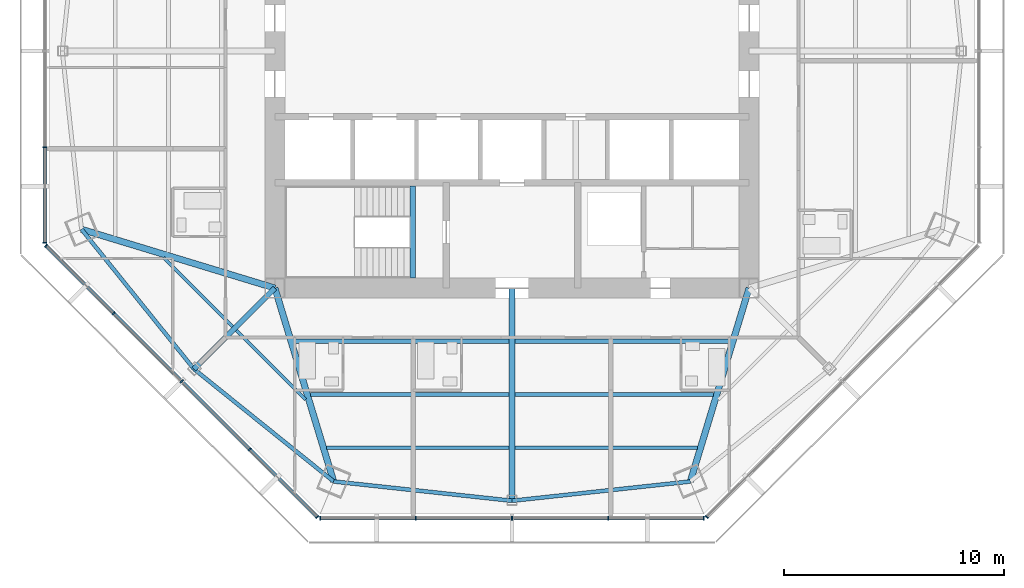
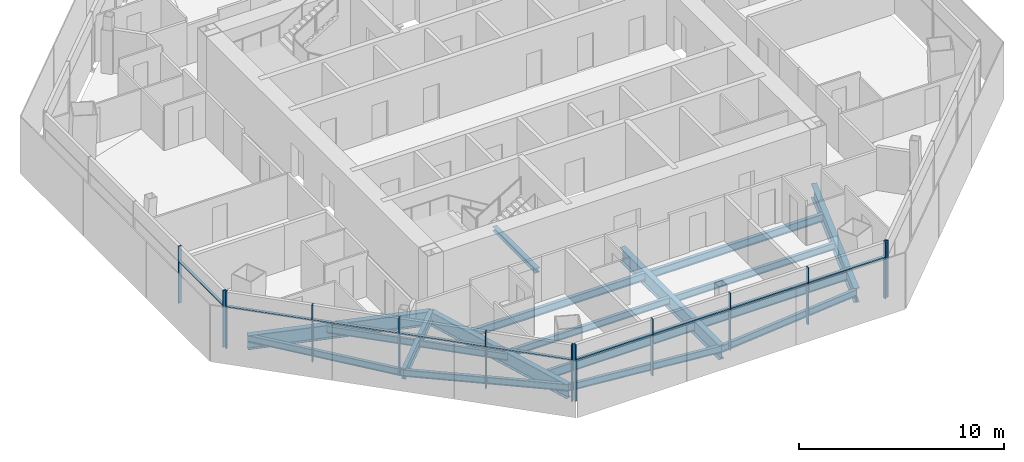
# One storey, part 2 of 14: 22 members, 18 beams, 4 elements without a shape of their own.
"""IFC4 building model written with IfcOpenShell, lengths in metres."""

import ifcopenshell
import ifcopenshell.guid

model = None  # the IFC model being written
_history = None  # IfcOwnerHistory: only IFC2X3 demands one
_inside = {}  # id of a spatial element -> (the spatial element, [elements in it])
_under = {}  # id of a project, library or spatial element -> (it, [spatial elements below it])
_declared = {}  # id of a project -> (the project, [libraries it declares])
_typed = {}  # id of a type object -> (the type object, [elements of that type])
_made_of = {}  # id of a material, layer set ... -> (it, [elements and type objects made of it])


def new_model(schema):
    """Start an empty IFC model of exactly this schema.

    Asked for "IFC4X3", IfcOpenShell would pick the latest addendum, in which some entities
    have other attributes; the version numbers below select the first issue.
    IFC2X3 requires an IfcOwnerHistory on every rooted entity: one is made here for all.
    """
    global model, _history
    if schema == "IFC4X3":
        model = ifcopenshell.file(schema_version=(4, 3, 0, 0))
    else:
        model = ifcopenshell.file(schema=schema)
    _inside.clear()
    _under.clear()
    _declared.clear()
    _typed.clear()
    _made_of.clear()
    _history = None
    if model.schema == "IFC2X3":
        org = make("IfcOrganization", Name="unknown")
        user = make(
            "IfcPersonAndOrganization",
            ThePerson=make("IfcPerson", FamilyName="unknown"),
            TheOrganization=org,
        )
        app = make(
            "IfcApplication",
            ApplicationDeveloper=org,
            Version="unknown",
            ApplicationFullName="unknown",
            ApplicationIdentifier="unknown",
        )
        _history = make(
            "IfcOwnerHistory",
            OwningUser=user,
            OwningApplication=app,
            ChangeAction="ADDED",
            CreationDate=0,
        )
    return model


def make(cls, **values):
    """One entity of the class cls with the attributes given. An attribute that is None is left unset."""
    return model.create_entity(
        cls, **{name: value for name, value in values.items() if value is not None}
    )


def rooted(cls, **values):
    """An entity with a GlobalId (a new one), such as an element, a storey or a relation."""
    return make(cls, GlobalId=ifcopenshell.guid.new(), OwnerHistory=_history, **values)


def si_unit(unit_type, name, prefix=None):
    """IfcSIUnit, for example si_unit("LENGTHUNIT", "METRE", prefix="MILLI")."""
    return make("IfcSIUnit", UnitType=unit_type, Prefix=prefix, Name=name)


def assignment(units):
    """IfcUnitAssignment: the units of a project."""
    return None if units is None else make("IfcUnitAssignment", Units=units)


def point(xyz):
    """IfcCartesianPoint."""
    return None if xyz is None else make("IfcCartesianPoint", Coordinates=xyz)


def direction(xyz):
    """IfcDirection."""
    return None if xyz is None else make("IfcDirection", DirectionRatios=xyz)


def frame(location, z_axis=None, x_axis=None):
    """IfcAxis2Placement3D, a coordinate frame: its origin and axes. An axis left out is left unset."""
    return make(
        "IfcAxis2Placement3D",
        Location=point(location),
        Axis=direction(z_axis),
        RefDirection=direction(x_axis),
    )


def frame_2d(location, x_axis=None):
    """IfcAxis2Placement2D, a coordinate frame in the plane: its origin and x axis."""
    return make(
        "IfcAxis2Placement2D", Location=point(location), RefDirection=direction(x_axis)
    )


def origin():
    """The frame at (0, 0, 0) with its axes left unset."""
    return frame((0.0, 0.0, 0.0))


def origin_2d():
    """The frame at (0, 0) in the plane with its x axis left unset."""
    return frame_2d((0.0, 0.0))


def place(relative_to, where):
    """IfcLocalPlacement: puts the frame where relative to a parent placement (None: the world)."""
    return make(
        "IfcLocalPlacement", PlacementRelTo=relative_to, RelativePlacement=where
    )


def context(
    kind, dimensions, precision=None, world=None, true_north=None, identifier=None
):
    """IfcGeometricRepresentationContext, for example the 3D "Model" context."""
    return make(
        "IfcGeometricRepresentationContext",
        ContextIdentifier=identifier,
        ContextType=kind,
        CoordinateSpaceDimension=dimensions,
        Precision=precision,
        WorldCoordinateSystem=world,
        TrueNorth=true_north,
    )


def subcontext(parent, identifier, kind, view, scale=None):
    """IfcGeometricRepresentationSubContext, for example "Body" below "Model"."""
    return make(
        "IfcGeometricRepresentationSubContext",
        ContextIdentifier=identifier,
        ContextType=kind,
        ParentContext=parent,
        TargetScale=scale,
        TargetView=view,
    )


def project(units=None, contexts=None):
    """IfcProject with its units and contexts."""
    return rooted(
        "IfcProject",
        Name="project",
        RepresentationContexts=contexts,
        UnitsInContext=assignment(units),
    )


def spatial(cls, under=None, at=None, **own):
    """A site, building, storey or space (cls), placed at a placement, below another one or the project."""
    s = rooted(cls, ObjectPlacement=at, **own)
    if under is not None:
        _under.setdefault(under.id(), (under, []))[1].append(s)
    return s


def profile(cls, at=None, kind="AREA", **sizes):
    """A parametric profile (cls). Its sizes go by their IFC names, for example OverallWidth=200.0."""
    return make(cls, ProfileType=kind, Position=at, **sizes)


def rectangle(**sizes):
    """IfcRectangleProfileDef."""
    return profile("IfcRectangleProfileDef", **sizes)


def i_section(**sizes):
    """IfcIShapeProfileDef."""
    return profile("IfcIShapeProfileDef", **sizes)


def extrude(swept, where, along, depth):
    """IfcExtrudedAreaSolid: the profile swept, set in the frame where, extruded along a direction by depth."""
    return make(
        "IfcExtrudedAreaSolid",
        SweptArea=swept,
        Position=where,
        ExtrudedDirection=direction(along),
        Depth=depth,
    )


def shape(context_of_items, identifier, shape_type, items):
    """IfcShapeRepresentation: the items that make up one representation, for example the "Body"."""
    return make(
        "IfcShapeRepresentation",
        ContextOfItems=context_of_items,
        RepresentationIdentifier=identifier,
        RepresentationType=shape_type,
        Items=items,
    )


def source(mapping_origin, context_of_items, identifier, shape_type, items):
    """IfcRepresentationMap: a shape defined once, which mapped items show again and again."""
    return make(
        "IfcRepresentationMap",
        MappingOrigin=mapping_origin,
        MappedRepresentation=shape(context_of_items, identifier, shape_type, items),
    )


def transform(
    local_origin,
    x_axis=None,
    y_axis=None,
    z_axis=None,
    scale=None,
    scale2=None,
    scale3=None,
    uniform=True,
):
    """IfcCartesianTransformationOperator3D, or its non-uniform kind. x_axis, y_axis, z_axis: its Axis1, 2, 3."""
    if uniform:
        return make(
            "IfcCartesianTransformationOperator3D",
            Axis1=direction(x_axis),
            Axis2=direction(y_axis),
            LocalOrigin=point(local_origin),
            Scale=scale,
            Axis3=direction(z_axis),
        )
    return make(
        "IfcCartesianTransformationOperator3DnonUniform",
        Axis1=direction(x_axis),
        Axis2=direction(y_axis),
        LocalOrigin=point(local_origin),
        Scale=scale,
        Axis3=direction(z_axis),
        Scale2=scale2,
        Scale3=scale3,
    )


def mapped(mapping_source, mapping_target):
    """IfcMappedItem: shows the shape of a source again, moved by a transform."""
    return make(
        "IfcMappedItem", MappingSource=mapping_source, MappingTarget=mapping_target
    )


def material(Name=None, Category=None):
    """IfcMaterial."""
    return make("IfcMaterial", Name=Name, Category=Category)


def material_profile(
    of_material, cross_section, Name=None, Category=None, Priority=None
):
    """IfcMaterialProfile: a cross section and its material."""
    return make(
        "IfcMaterialProfile",
        Name=Name,
        Material=of_material,
        Profile=cross_section,
        Priority=Priority,
        Category=Category,
    )


def profile_set(profiles, Name=None, composite=None):
    """IfcMaterialProfileSet."""
    return make(
        "IfcMaterialProfileSet",
        Name=Name,
        MaterialProfiles=profiles,
        CompositeProfile=composite,
    )


def made_of(thing, what):
    """Note that an element or type object is made of a material, layer set ...; save() writes the relation."""
    if what is not None:
        _made_of.setdefault(what.id(), (what, []))[1].append(thing)
    return thing


def type_object(cls, material=None, **own):
    """A type object (cls), such as IfcWallType, which elements share."""
    return made_of(rooted(cls, **own), material)


def type_shapes(of_type, sources):
    """Give a type object the sources (RepresentationMaps) that its elements show as mapped items."""
    of_type.RepresentationMaps = sources


def element(
    cls,
    number,
    at=None,
    inside=None,
    cuts=None,
    type_object=None,
    material=None,
    context=None,
    identifier="Body",
    shape_type=None,
    held_by="IfcProductDefinitionShape",
    body=None,
    shapes=None,
    **own,
):
    """One element of the class cls, such as IfcWall. Its Tag is "e" and its number.

    at: its placement. inside: the storey or other place that contains it. cuts: it is an
    opening in that element (IfcRelVoidsElement). A single representation is given by context,
    identifier, shape_type and body (its items); several are given by shapes. held_by: the class
    of the entity that holds the representations. save() writes the other relations.
    """
    e = rooted(cls, Tag="e%d" % number, ObjectPlacement=at, **own)
    if body is not None:
        shapes = [shape(context, identifier, shape_type, body)]
    if shapes is not None:
        e.Representation = make(held_by, Representations=shapes)
    if inside is not None:
        _inside.setdefault(inside.id(), (inside, []))[1].append(e)
    if cuts is not None:
        rooted(
            "IfcRelVoidsElement", RelatingBuildingElement=cuts, RelatedOpeningElement=e
        )
    if type_object is not None:
        _typed.setdefault(type_object.id(), (type_object, []))[1].append(e)
    return made_of(e, material)


def aggregate(whole, parts):
    """IfcRelAggregates: a whole, such as a stair, and the parts it consists of."""
    return rooted("IfcRelAggregates", RelatingObject=whole, RelatedObjects=parts)


def save(model, path):
    """Write the relations noted so far, then the file.

    IfcRelAggregates (storeys below a building ...), IfcRelContainedInSpatialStructure (elements
    in a storey), IfcRelDefinesByType, IfcRelAssociatesMaterial and IfcRelDeclares: one each for
    every whole, place, type object, material and project.
    """
    for whole, parts in _under.values():
        aggregate(whole, parts)
    for where, things in _inside.values():
        rooted(
            "IfcRelContainedInSpatialStructure",
            RelatedElements=things,
            RelatingStructure=where,
        )
    for kind, things in _typed.values():
        rooted("IfcRelDefinesByType", RelatedObjects=things, RelatingType=kind)
    for what, things in _made_of.values():
        rooted("IfcRelAssociatesMaterial", RelatedObjects=things, RelatingMaterial=what)
    for by, libraries in _declared.values():
        rooted("IfcRelDeclares", RelatingContext=by, RelatedDefinitions=libraries)
    model.write(path)


model = new_model("IFC4")

# Units and contexts
model_context = context("Model", 3, precision=1e-05, world=origin(), true_north=direction((0.0, 1.0)))
body_context = subcontext(model_context, "Body", "Model", "MODEL_VIEW")
ifc_project = project(units=[si_unit("LENGTHUNIT", "METRE"), si_unit("AREAUNIT", "SQUARE_METRE"), si_unit("VOLUMEUNIT", "CUBIC_METRE"), si_unit("PLANEANGLEUNIT", "RADIAN"), si_unit("MASSUNIT", "GRAM", prefix="KILO")], contexts=[model_context])

# Site, building, storey
site_placement = place(None, origin())
site = spatial("IfcSite", under=ifc_project, at=site_placement, CompositionType="ELEMENT")
building_placement = place(site_placement, origin())
building = spatial("IfcBuilding", under=site, at=building_placement, Name="Mashrafa Tower", CompositionType="ELEMENT")
storey_placement = place(building_placement, frame((0.0, 0.0, 238.0)))
storey = spatial("IfcBuildingStorey", under=building, at=storey_placement, Name="L56", CompositionType="ELEMENT", Elevation=238.0)

# Beams
ifc_material_1 = material(Name="Steel ASTM A992", Category="steel")
ifc_material_profile_1 = material_profile(ifc_material_1, i_section(OverallWidth=0.140380859375, OverallDepth=0.40380859375, WebThickness=0.007080078125, FlangeThickness=0.01123046875, FilletRadius=0.01025390625, at=origin_2d()), Name="W16X31")
ifc_profile_set_1 = profile_set([ifc_material_profile_1], Name="Steel ASTM A992")
beam_type_1 = type_object("IfcBeamType", Name="Beam W16X31", PredefinedType="BEAM", material=ifc_profile_set_1)
for number, where, z_axis, x_axis, name in (
    (1, (-12.72412109375, -12.562744140625, -0.40185546875), (-0.707134152885, 0.707079408428, 0.0), (-0.707079408428, -0.707134152885, 0.0), "Floor beam L56 008"),
    (2, (-9.409423828125, -15.877685546875, -0.40185546875), (-0.707079408428, 0.707134152885, 0.0), (-0.707134152885, -0.707079408428, 0.0), "Floor beam L56 012"),
):
    element("IfcBeam", number, at=place(storey_placement, frame(where, z_axis=z_axis, x_axis=x_axis)), inside=storey, type_object=beam_type_1, Name=name, PredefinedType="BEAM", context=body_context, shape_type="SweptSolid", body=[
        extrude(i_section(OverallWidth=0.140380859375, OverallDepth=0.40380859375, WebThickness=0.007080078125, FlangeThickness=0.01123046875, FilletRadius=0.01025390625, at=origin_2d()), origin(), (0.0, 0.0, 1.0), 4.459716796875),
    ])
ifc_material_2 = material(Name="Steel ASTM A992", Category="steel")
ifc_material_profile_2 = material_profile(ifc_material_2, i_section(OverallWidth=0.177734375, OverallDepth=0.406494140625, WebThickness=0.0078125, FlangeThickness=0.012939453125, FilletRadius=0.01025390625, at=origin_2d()), Name="W16X40")
ifc_profile_set_2 = profile_set([ifc_material_profile_2], Name="Steel ASTM A992")
beam_type_2 = type_object("IfcBeamType", Name="Beam W16X40", PredefinedType="BEAM", material=ifc_profile_set_2)
for number, where, z_axis, x_axis, name in (
    (3, (-0.14599609375, -15.643798828125, -0.4033203125), (-1.0, 0.0, 0.0), (0.0, -1.0, 0.0), "Floor beam L56 015"),
    (4, (9.17529296875, -15.643798828125, -0.4033203125), (-1.0, 0.0, 0.0), (0.0, -1.0, 0.0), "Floor beam L56 022"),
):
    element("IfcBeam", number, at=place(storey_placement, frame(where, z_axis=z_axis, x_axis=x_axis)), inside=storey, type_object=beam_type_2, Name=name, PredefinedType="BEAM", context=body_context, shape_type="SweptSolid", body=[
        extrude(i_section(OverallWidth=0.177734375, OverallDepth=0.406494140625, WebThickness=0.0078125, FlangeThickness=0.012939453125, FilletRadius=0.01025390625, at=origin_2d()), origin(), (0.0, 0.0, 1.0), 9.029296875),
    ])
for number, where, z_axis, x_axis, name in (
    (5, (-19.609619140625, -8.12255859375, -0.4033203125), (0.62700277054, -0.779017025318, 0.0), (0.779017025318, 0.62700277054, 0.0), "Spandrel beam L56 050"),
    (6, (-14.487060546875, -14.487060546875, -0.4033203125), (0.779017025318, -0.62700277054, 0.0), (0.62700277054, 0.779017025318, 0.0), "Spandrel beam L56 052"),
    (7, (-8.12255859375, -19.609619140625, -0.4033203125), (0.994206270799, -0.107489027835, 0.0), (0.107489027835, 0.994206270799, 0.0), "Spandrel beam L56 054"),
    (8, (0.0, -20.48779296875, -0.4033203125), (0.994206270799, 0.107489027835, 0.0), (-0.107489027835, 0.994206270799, 0.0), "Spandrel beam L56 056"),
):
    element("IfcBeam", number, at=place(storey_placement, frame(where, z_axis=z_axis, x_axis=x_axis)), inside=storey, type_object=beam_type_2, Name=name, PredefinedType="BEAM", context=body_context, shape_type="SweptSolid", body=[
        extrude(i_section(OverallWidth=0.177734375, OverallDepth=0.406494140625, WebThickness=0.0078125, FlangeThickness=0.012939453125, FilletRadius=0.01025390625, at=origin_2d()), origin(), (0.0, 0.0, 1.0), 8.169921875),
    ])
ifc_material_3 = material(Name="Steel ASTM A992", Category="steel")
ifc_material_profile_3 = material_profile(ifc_material_3, i_section(OverallWidth=0.191162109375, OverallDepth=0.459716796875, WebThickness=0.010009765625, FlangeThickness=0.01611328125, FilletRadius=0.01025390625, at=origin_2d()), Name="W18X55")
ifc_profile_set_3 = profile_set([ifc_material_profile_3], Name="Steel ASTM A992")
beam_type_3 = type_object("IfcBeamType", Name="Beam W18X55", PredefinedType="BEAM", material=ifc_profile_set_3)
for number, where, z_axis, x_axis, name in (
    (9, (-0.14599609375, -13.221923828125, -0.429931640625), (-1.0, 0.0, 0.0), (0.0, -1.0, 0.0), "Floor beam L56 016"),
    (10, (9.911376953125, -13.221923828125, -0.429931640625), (-1.0, 0.0, 0.0), (0.0, -1.0, 0.0), "Floor beam L56 023"),
):
    element("IfcBeam", number, at=place(storey_placement, frame(where, z_axis=z_axis, x_axis=x_axis)), inside=storey, type_object=beam_type_3, Name=name, PredefinedType="BEAM", context=body_context, shape_type="SweptSolid", body=[
        extrude(i_section(OverallWidth=0.191162109375, OverallDepth=0.459716796875, WebThickness=0.010009765625, FlangeThickness=0.01611328125, FilletRadius=0.01025390625, at=origin_2d()), origin(), (0.0, 0.0, 1.0), 9.765380859375),
    ])
ifc_material_4 = material(Name="Steel ASTM A992", Category="steel")
ifc_material_profile_4 = material_profile(ifc_material_4, i_section(OverallWidth=0.165771484375, OverallDepth=0.5283203125, WebThickness=0.009765625, FlangeThickness=0.013671875, FilletRadius=0.012939453125, at=origin_2d()), Name="W21X50")
ifc_profile_set_4 = profile_set([ifc_material_profile_4], Name="Steel ASTM A992")
beam_type_4 = type_object("IfcBeamType", Name="Beam W21X50", PredefinedType="BEAM", material=ifc_profile_set_4)
for number, where, z_axis, x_axis, name in (
    (11, (-0.14599609375, -18.06591796875, -0.464111328125), (-1.0, 0.0, 0.0), (0.0, -1.0, 0.0), "Floor beam L56 014"),
    (12, (8.439208984375, -18.06591796875, -0.464111328125), (-1.0, 0.0, 0.0), (0.0, -1.0, 0.0), "Floor beam L56 020"),
):
    element("IfcBeam", number, at=place(storey_placement, frame(where, z_axis=z_axis, x_axis=x_axis)), inside=storey, type_object=beam_type_4, Name=name, PredefinedType="BEAM", context=body_context, shape_type="SweptSolid", body=[
        extrude(i_section(OverallWidth=0.165771484375, OverallDepth=0.5283203125, WebThickness=0.009765625, FlangeThickness=0.013671875, FilletRadius=0.012939453125, at=origin_2d()), origin(), (0.0, 0.0, 1.0), 8.293212890625),
    ])
ifc_material_5 = material(Name="Steel ASTM A992", Category="steel")
ifc_material_profile_5 = material_profile(ifc_material_5, i_section(OverallWidth=0.228271484375, OverallDepth=0.607177734375, WebThickness=0.01123046875, FlangeThickness=0.017333984375, FilletRadius=0.0126953125, at=origin_2d()), Name="W24X76")
ifc_profile_set_5 = profile_set([ifc_material_profile_5], Name="Steel ASTM A992")
beam_type_5 = type_object("IfcBeamType", Name="Beam W24X76", PredefinedType="BEAM", material=ifc_profile_set_5)
beam_1_placement = place(storey_placement, frame((-10.800048828125, -10.800048828125, -0.50341796875), z_axis=(-0.707106781187, -0.707106781187, 0.0), x_axis=(0.707106781187, -0.707106781187, 0.0)))
element("IfcBeam", 13, at=beam_1_placement, inside=storey, type_object=beam_type_5, Name="Radial girder L56 034", PredefinedType="BEAM", context=body_context, shape_type="SweptSolid", body=[
    extrude(i_section(OverallWidth=0.228271484375, OverallDepth=0.607177734375, WebThickness=0.01123046875, FlangeThickness=0.017333984375, FilletRadius=0.0126953125, at=origin_2d()), origin(), (0.0, 0.0, 1.0), 5.214111328125),
])
ifc_material_6 = material(Name="Steel ASTM A992", Category="steel")
ifc_material_profile_6 = material_profile(ifc_material_6, i_section(OverallWidth=0.2919921875, OverallDepth=0.845703125, WebThickness=0.015380859375, FlangeThickness=0.0244140625, FilletRadius=0.017333984375, at=origin_2d()), Name="W33X141")
ifc_profile_set_6 = profile_set([ifc_material_profile_6], Name="Steel ASTM A992")
beam_type_6 = type_object("IfcBeamType", Name="Beam W33X141", PredefinedType="BEAM", material=ifc_profile_set_6)
for number, where, z_axis, x_axis, name in (
    (14, (-10.800048828125, -10.800048828125, -0.622802734375), (-0.956785239687, 0.290795469561, 0.0), (-0.290795469561, -0.956785239687, 0.0), "Radial girder L56 033"),
    (15, (-10.800048828125, -10.800048828125, -0.622802734375), (0.290795469561, -0.956785239687, 0.0), (0.956785239687, 0.290795469561, 0.0), "Radial girder L56 035"),
    (16, (10.800048828125, -10.800048828125, -0.622802734375), (-0.290795469561, -0.956785239687, 0.0), (0.956785239687, -0.290795469561, 0.0), "Radial girder L56 042"),
):
    element("IfcBeam", number, at=place(storey_placement, frame(where, z_axis=z_axis, x_axis=x_axis)), inside=storey, type_object=beam_type_6, Name=name, PredefinedType="BEAM", context=body_context, shape_type="SweptSolid", body=[
        extrude(i_section(OverallWidth=0.2919921875, OverallDepth=0.845703125, WebThickness=0.015380859375, FlangeThickness=0.0244140625, FilletRadius=0.017333984375, at=origin_2d()), origin(), (0.0, 0.0, 1.0), 9.20751953125),
    ])
ifc_material_7 = material(Name="Steel ASTM A992", Category="steel")
ifc_material_profile_7 = material_profile(ifc_material_7, i_section(OverallWidth=0.2919921875, OverallDepth=0.8583984375, WebThickness=0.01708984375, FlangeThickness=0.031005859375, FilletRadius=0.017822265625, at=origin_2d()), Name="W33X169")
ifc_profile_set_7 = profile_set([ifc_material_profile_7], Name="Steel ASTM A992")
beam_type_7 = type_object("IfcBeamType", Name="Beam W33X169", PredefinedType="BEAM", material=ifc_profile_set_7)
beam_2_placement = place(storey_placement, frame((0.0, -10.800048828125, -0.629150390625), z_axis=(0.0, -1.0, 0.0), x_axis=(1.0, 0.0, 0.0)))
element("IfcBeam", 17, at=beam_2_placement, inside=storey, type_object=beam_type_7, Name="Radial girder L56 040", PredefinedType="BEAM", context=body_context, shape_type="SweptSolid", body=[
    extrude(i_section(OverallWidth=0.2919921875, OverallDepth=0.8583984375, WebThickness=0.01708984375, FlangeThickness=0.031005859375, FilletRadius=0.017822265625, at=origin_2d()), origin(), (0.0, 0.0, 1.0), 9.687744140625),
])
ifc_material_8 = material(Name="Steel ASTM A992", Category="steel")
ifc_material_profile_8 = material_profile(ifc_material_8, i_section(OverallWidth=0.25390625, OverallDepth=0.25390625, WebThickness=0.008544921875, FlangeThickness=0.01416015625, FilletRadius=0.010009765625, at=origin_2d()), Name="W10X49")
ifc_profile_set_8 = profile_set([ifc_material_profile_8], Name="Steel ASTM A992")
beam_type_8 = type_object("IfcBeamType", Name="Hoistway beam W10X49", PredefinedType="BEAM", material=ifc_profile_set_8)
beam_3_placement = place(storey_placement, frame((-4.530029296875, -10.35009765625, -0.326904296875), z_axis=(0.0, 1.0, 0.0), x_axis=(-1.0, 0.0, 0.0)))
element("IfcBeam", 18, at=beam_3_placement, inside=storey, type_object=beam_type_8, Name="Stair S3 landing beam L56", PredefinedType="BEAM", context=body_context, shape_type="SweptSolid", body=[
    extrude(i_section(OverallWidth=0.25390625, OverallDepth=0.25390625, WebThickness=0.008544921875, FlangeThickness=0.01416015625, FilletRadius=0.010009765625, at=origin_2d()), origin(), (0.0, 0.0, 1.0), 4.2001953125),
])

# Curtain wall, members
ifc_material_9 = material(Name="Unitised aluminium curtain wall", Category="aluminium")
curtain_wall_type = type_object("IfcCurtainWallType", Name="Apartment curtain wall, zone 3 CW-C 180 deep", PredefinedType="NOTDEFINED", material=ifc_material_9)
curtain_wall_1_placement = place(storey_placement, origin())
curtain_wall_1 = element("IfcCurtainWall", 19, at=curtain_wall_1_placement, inside=storey, type_object=curtain_wall_type, Name="Apartment curtain wall, zone 3 L56 west", PredefinedType="NOTDEFINED")
ifc_material_10 = material(Name="Extruded aluminium mullion", Category="aluminium")
ifc_material_profile_9 = material_profile(ifc_material_10, rectangle(XDim=0.179931640625, YDim=0.06005859375, at=origin_2d()), Name="Mullion 60x180")
ifc_profile_set_9 = profile_set([ifc_material_profile_9], Name="Extruded aluminium mullion")
member_type_1 = type_object("IfcMemberType", Name="Mullion CW-C 60 x 180", PredefinedType="MULLION", material=ifc_profile_set_9)
shared_shape_1 = source(origin(), body_context, "Body", "SweptSolid", [
    extrude(rectangle(XDim=0.179931640625, YDim=0.06005859375, at=origin_2d()), origin(), (0.0, 0.0, 1.0), 3.39990234375),
])
type_shapes(member_type_1, [shared_shape_1])
member_1_placement = place(storey_placement, frame((-21.281982421875, -4.384033203125, 0.0), z_axis=(0.0, 0.0, 1.0), x_axis=(1.0, 0.0, 0.0)))
member_1 = element("IfcMember", 20, at=member_1_placement, type_object=member_type_1, Name="CW-C mullion 4", PredefinedType="MULLION", context=body_context, shape_type="MappedRepresentation", body=[
    mapped(shared_shape_1, transform((0.0, 0.0, 0.0))),
])
member_2_placement = place(storey_placement, frame((-21.281982421875, -8.738037109375, 0.0), z_axis=(0.0, 0.0, 1.0), x_axis=(1.0, 0.0, 0.0)))
member_2 = element("IfcMember", 21, at=member_2_placement, type_object=member_type_1, Name="CW-C mullion 5", PredefinedType="MULLION", context=body_context, shape_type="MappedRepresentation", body=[
    mapped(shared_shape_1, transform((0.0, 0.0, 0.0))),
])

curtain_wall_2_placement = place(storey_placement, origin())
curtain_wall_2 = element("IfcCurtainWall", 22, at=curtain_wall_2_placement, inside=storey, type_object=curtain_wall_type, Name="Apartment curtain wall, zone 3 L56 south-west", PredefinedType="NOTDEFINED")
member_3_placement = place(storey_placement, frame((-21.227294921875, -8.869873046875, 0.0), z_axis=(0.0, 0.0, 1.0), x_axis=(0.707106781187, 0.707106781187, 0.0)))
member_3 = element("IfcMember", 23, at=member_3_placement, type_object=member_type_1, Name="CW-C mullion 1", PredefinedType="MULLION", context=body_context, shape_type="MappedRepresentation", body=[
    mapped(shared_shape_1, transform((0.0, 0.0, 0.0))),
])
member_4_placement = place(storey_placement, frame((-18.148681640625, -11.94873046875, 0.0), z_axis=(0.0, 0.0, 1.0), x_axis=(0.707106781187, 0.707106781187, 0.0)))
member_4 = element("IfcMember", 24, at=member_4_placement, type_object=member_type_1, Name="CW-C mullion 2", PredefinedType="MULLION", context=body_context, shape_type="MappedRepresentation", body=[
    mapped(shared_shape_1, transform((0.0, 0.0, 0.0))),
])
member_5_placement = place(storey_placement, frame((-15.048583984375, -15.048583984375, 0.0), z_axis=(0.0, 0.0, 1.0), x_axis=(0.707106781187, 0.707106781187, 0.0)))
member_5 = element("IfcMember", 25, at=member_5_placement, type_object=member_type_1, Name="CW-C mullion 3", PredefinedType="MULLION", context=body_context, shape_type="MappedRepresentation", body=[
    mapped(shared_shape_1, transform((0.0, 0.0, 0.0))),
])
member_6_placement = place(storey_placement, frame((-11.94873046875, -18.148681640625, 0.0), z_axis=(0.0, 0.0, 1.0), x_axis=(0.707106781187, 0.707106781187, 0.0)))
member_6 = element("IfcMember", 26, at=member_6_placement, type_object=member_type_1, Name="CW-C mullion 4", PredefinedType="MULLION", context=body_context, shape_type="MappedRepresentation", body=[
    mapped(shared_shape_1, transform((0.0, 0.0, 0.0))),
])
member_7_placement = place(storey_placement, frame((-8.869873046875, -21.227294921875, 0.0), z_axis=(0.0, 0.0, 1.0), x_axis=(0.707106781187, 0.707106781187, 0.0)))
member_7 = element("IfcMember", 27, at=member_7_placement, type_object=member_type_1, Name="CW-C mullion 5", PredefinedType="MULLION", context=body_context, shape_type="MappedRepresentation", body=[
    mapped(shared_shape_1, transform((0.0, 0.0, 0.0))),
])

curtain_wall_3_placement = place(storey_placement, origin())
curtain_wall_3 = element("IfcCurtainWall", 28, at=curtain_wall_3_placement, inside=storey, type_object=curtain_wall_type, Name="Apartment curtain wall, zone 3 L56 south", PredefinedType="NOTDEFINED")
member_8_placement = place(storey_placement, frame((-8.738037109375, -21.281982421875, 0.0), z_axis=(0.0, 0.0, 1.0), x_axis=(0.0, 1.0, 0.0)))
member_8 = element("IfcMember", 29, at=member_8_placement, type_object=member_type_1, Name="CW-C mullion 1", PredefinedType="MULLION", context=body_context, shape_type="MappedRepresentation", body=[
    mapped(shared_shape_1, transform((0.0, 0.0, 0.0))),
])
member_9_placement = place(storey_placement, frame((-4.384033203125, -21.281982421875, 0.0), z_axis=(0.0, 0.0, 1.0), x_axis=(0.0, 1.0, 0.0)))
member_9 = element("IfcMember", 30, at=member_9_placement, type_object=member_type_1, Name="CW-C mullion 2", PredefinedType="MULLION", context=body_context, shape_type="MappedRepresentation", body=[
    mapped(shared_shape_1, transform((0.0, 0.0, 0.0))),
])
member_10_placement = place(storey_placement, frame((0.0, -21.281982421875, 0.0), z_axis=(0.0, 0.0, 1.0), x_axis=(0.0, 1.0, 0.0)))
member_10 = element("IfcMember", 31, at=member_10_placement, type_object=member_type_1, Name="CW-C mullion 3", PredefinedType="MULLION", context=body_context, shape_type="MappedRepresentation", body=[
    mapped(shared_shape_1, transform((0.0, 0.0, 0.0))),
])
member_11_placement = place(storey_placement, frame((4.384033203125, -21.281982421875, 0.0), z_axis=(0.0, 0.0, 1.0), x_axis=(0.0, 1.0, 0.0)))
member_11 = element("IfcMember", 32, at=member_11_placement, type_object=member_type_1, Name="CW-C mullion 4", PredefinedType="MULLION", context=body_context, shape_type="MappedRepresentation", body=[
    mapped(shared_shape_1, transform((0.0, 0.0, 0.0))),
])
member_12_placement = place(storey_placement, frame((8.738037109375, -21.281982421875, 0.0), z_axis=(0.0, 0.0, 1.0), x_axis=(0.0, 1.0, 0.0)))
member_12 = element("IfcMember", 33, at=member_12_placement, type_object=member_type_1, Name="CW-C mullion 5", PredefinedType="MULLION", context=body_context, shape_type="MappedRepresentation", body=[
    mapped(shared_shape_1, transform((0.0, 0.0, 0.0))),
])

# Curtain wall, member
curtain_wall_4_placement = place(storey_placement, origin())
curtain_wall_4 = element("IfcCurtainWall", 34, at=curtain_wall_4_placement, inside=storey, type_object=curtain_wall_type, Name="Apartment curtain wall, zone 3 L56 south-east", PredefinedType="NOTDEFINED")
member_13_placement = place(storey_placement, frame((8.869873046875, -21.227294921875, 0.0), z_axis=(0.0, 0.0, 1.0), x_axis=(-0.707106781187, 0.707106781187, 0.0)))
member_13 = element("IfcMember", 35, at=member_13_placement, type_object=member_type_1, Name="CW-C mullion 1", PredefinedType="MULLION", context=body_context, shape_type="MappedRepresentation", body=[
    mapped(shared_shape_1, transform((0.0, 0.0, 0.0))),
])
aggregate(curtain_wall_4, [member_13])

# Member
ifc_material_11 = material(Name="Extruded aluminium transom", Category="aluminium")
ifc_material_profile_10 = material_profile(ifc_material_11, rectangle(XDim=0.14404296875, YDim=0.074951171875, at=origin_2d()), Name="Transom 75x144")
ifc_profile_set_10 = profile_set([ifc_material_profile_10], Name="Extruded aluminium transom")
member_type_2 = type_object("IfcMemberType", Name="Transom CW-C 75 x 144", PredefinedType="MULLION", material=ifc_profile_set_10)
shared_shape_2 = source(origin(), body_context, "Body", "SweptSolid", [
    extrude(rectangle(XDim=0.14404296875, YDim=0.074951171875, at=origin_2d()), origin(), (0.0, 0.0, 1.0), 4.2939453125),
])
member_14_placement = place(storey_placement, frame((-21.281982421875, -4.4140625, 2.5), z_axis=(0.0, -1.0, 0.0), x_axis=(1.0, 0.0, 0.0)))
member_14 = element("IfcMember", 36, at=member_14_placement, type_object=member_type_2, Name="CW-C transom 4", PredefinedType="MULLION", context=body_context, shape_type="MappedRepresentation", body=[
    mapped(shared_shape_2, transform((0.0, 0.0, 0.0))),
])

aggregate(curtain_wall_1, [member_1, member_2, member_14])

member_15_placement = place(storey_placement, frame((-8.7080078125, -21.281982421875, 2.5), z_axis=(1.0, 0.0, 0.0), x_axis=(0.0, 1.0, 0.0)))
member_15 = element("IfcMember", 37, at=member_15_placement, type_object=member_type_2, Name="CW-C transom 1", PredefinedType="MULLION", context=body_context, shape_type="MappedRepresentation", body=[
    mapped(shared_shape_2, transform((0.0, 0.0, 0.0))),
])

member_16_placement = place(storey_placement, frame((4.4140625, -21.281982421875, 2.5), z_axis=(1.0, 0.0, 0.0), x_axis=(0.0, 1.0, 0.0)))
member_16 = element("IfcMember", 38, at=member_16_placement, type_object=member_type_2, Name="CW-C transom 4", PredefinedType="MULLION", context=body_context, shape_type="MappedRepresentation", body=[
    mapped(shared_shape_2, transform((0.0, 0.0, 0.0))),
])

shared_shape_3 = source(origin(), body_context, "Body", "SweptSolid", [
    extrude(rectangle(XDim=0.14404296875, YDim=0.074951171875, at=origin_2d()), origin(), (0.0, 0.0, 1.0), 4.323974609375),
])
member_17_placement = place(storey_placement, frame((-18.12744140625, -11.969970703125, 2.5), z_axis=(0.70713501182, -0.707078549426, 0.0), x_axis=(0.707078549426, 0.70713501182, 0.0)))
member_17 = element("IfcMember", 39, at=member_17_placement, type_object=member_type_2, Name="CW-C transom 2", PredefinedType="MULLION", context=body_context, shape_type="MappedRepresentation", body=[
    mapped(shared_shape_3, transform((0.0, 0.0, 0.0))),
])

member_18_placement = place(storey_placement, frame((-15.02734375, -15.06982421875, 2.5), z_axis=(0.707078549426, -0.70713501182, 0.0), x_axis=(0.70713501182, 0.707078549426, 0.0)))
member_18 = element("IfcMember", 40, at=member_18_placement, type_object=member_type_2, Name="CW-C transom 3", PredefinedType="MULLION", context=body_context, shape_type="MappedRepresentation", body=[
    mapped(shared_shape_3, transform((0.0, 0.0, 0.0))),
])

member_19_placement = place(storey_placement, frame((-4.35400390625, -21.281982421875, 2.5), z_axis=(1.0, 0.0, 0.0), x_axis=(0.0, 1.0, 0.0)))
member_19 = element("IfcMember", 41, at=member_19_placement, type_object=member_type_2, Name="CW-C transom 2", PredefinedType="MULLION", context=body_context, shape_type="MappedRepresentation", body=[
    mapped(shared_shape_3, transform((0.0, 0.0, 0.0))),
])

member_20_placement = place(storey_placement, frame((0.030029296875, -21.281982421875, 2.5), z_axis=(1.0, 0.0, 0.0), x_axis=(0.0, 1.0, 0.0)))
member_20 = element("IfcMember", 42, at=member_20_placement, type_object=member_type_2, Name="CW-C transom 3", PredefinedType="MULLION", context=body_context, shape_type="MappedRepresentation", body=[
    mapped(shared_shape_3, transform((0.0, 0.0, 0.0))),
])

aggregate(curtain_wall_3, [member_8, member_9, member_10, member_11, member_12, member_15, member_19, member_20, member_16])

shared_shape_4 = source(origin(), body_context, "Body", "SweptSolid", [
    extrude(rectangle(XDim=0.14404296875, YDim=0.074951171875, at=origin_2d()), origin(), (0.0, 0.0, 1.0), 4.294189453125),
])
type_shapes(member_type_2, [shared_shape_2, shared_shape_3, shared_shape_4])
member_21_placement = place(storey_placement, frame((-21.206298828125, -8.89111328125, 2.5), z_axis=(0.707106781187, -0.707106781187, 0.0), x_axis=(0.707106781187, 0.707106781187, 0.0)))
member_21 = element("IfcMember", 43, at=member_21_placement, type_object=member_type_2, Name="CW-C transom 1", PredefinedType="MULLION", context=body_context, shape_type="MappedRepresentation", body=[
    mapped(shared_shape_4, transform((0.0, 0.0, 0.0))),
])

member_22_placement = place(storey_placement, frame((-11.927490234375, -18.169921875, 2.5), z_axis=(0.707106781187, -0.707106781187, 0.0), x_axis=(0.707106781187, 0.707106781187, 0.0)))
member_22 = element("IfcMember", 44, at=member_22_placement, type_object=member_type_2, Name="CW-C transom 4", PredefinedType="MULLION", context=body_context, shape_type="MappedRepresentation", body=[
    mapped(shared_shape_4, transform((0.0, 0.0, 0.0))),
])

aggregate(curtain_wall_2, [member_3, member_4, member_5, member_6, member_7, member_21, member_17, member_18, member_22])

save(model, "model.ifc")
